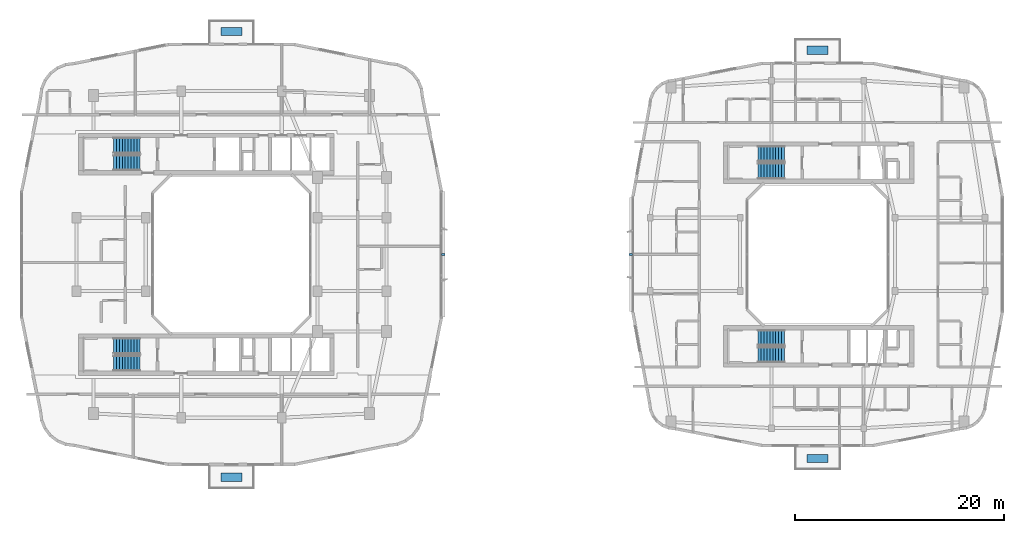
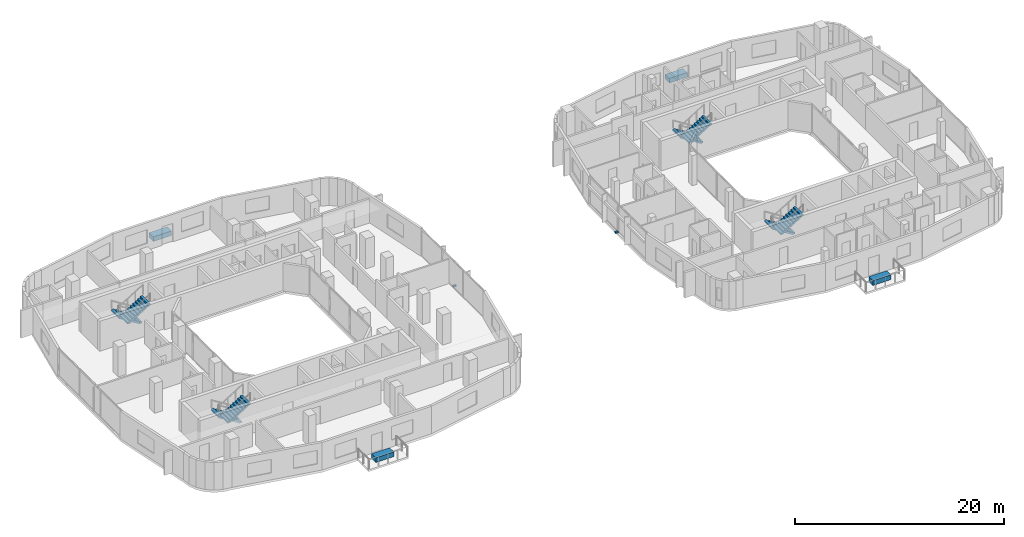
# One storey, part 17 of 22: 8 stair flights, 6 discrete accessories, 4 elements without a shape of their own.
"""IFC4 building model written with IfcOpenShell, lengths in metres."""

from ifc_helpers import new_model, si_unit, derived_unit, direction, frame, origin, origin_2d, place, context, subcontext, project, spatial, polyline, rectangle, outline, extrude, material, type_object, element, aggregate, save


model = new_model("IFC4")

# Units and contexts
model_context = context("Model", 3, precision=1e-05, world=origin(), true_north=direction((0.0, 1.0)))
body_context = subcontext(model_context, "Body", "Model", "MODEL_VIEW")
ifc_project = project(units=[si_unit("LENGTHUNIT", "METRE"), si_unit("AREAUNIT", "SQUARE_METRE"), si_unit("VOLUMEUNIT", "CUBIC_METRE"), si_unit("PLANEANGLEUNIT", "RADIAN"), si_unit("MASSUNIT", "GRAM", prefix="KILO"), derived_unit("THERMALTRANSMITTANCEUNIT", [(si_unit("POWERUNIT", "WATT"), 1), (si_unit("LENGTHUNIT", "METRE"), -2), (si_unit("THERMODYNAMICTEMPERATUREUNIT", "KELVIN"), -1)])], contexts=[model_context])

# Site, building, storey
site_placement = place(None, origin())
site = spatial("IfcSite", under=ifc_project, at=site_placement, CompositionType="ELEMENT")
building_placement = place(site_placement, origin())
building = spatial("IfcBuilding", under=site, at=building_placement, Name="Kivonza Crest Hotel", CompositionType="ELEMENT")
storey_placement = place(building_placement, frame((0.0, 0.0, 112.5)))
storey = spatial("IfcBuildingStorey", under=building, at=storey_placement, Name="L30", CompositionType="ELEMENT", Elevation=112.5)

# Stair, stair flights
ifc_material_1 = material(Name="Concrete C40/50", Category="concrete")
stair_type = type_object("IfcStairType", Name="ST-DL-20R", PredefinedType="HALF_TURN_STAIR", material=ifc_material_1)
stair_1_placement = place(storey_placement, origin())
stair_1 = element("IfcStair", 1, at=stair_1_placement, inside=storey, type_object=stair_type, Name="L30 Protected Exit Stair ST-T1-N", PredefinedType="HALF_TURN_STAIR")
stair_flight_type = type_object("IfcStairFlightType", Name="SFL-RC-10R", PredefinedType="STRAIGHT", material=ifc_material_1)
stair_flight_1_placement = place(storey_placement, frame((12.239990234375, 35.409912109375, 0.0), z_axis=(0.0, 0.0, 1.0), x_axis=(-1.0, 0.0, 0.0)))
stair_flight_1 = element("IfcStairFlight", 2, at=stair_flight_1_placement, type_object=stair_flight_type, Name="ST-T1-N flight 1", NumberOfRisers=10, NumberOfTreads=9, PredefinedType="STRAIGHT", RiserHeight=0.175, TreadLength=0.28, context=body_context, shape_type="SweptSolid", body=[
    extrude(outline(polyline([(0.0, 0.0), (0.0, 0.175048828125), (0.280029296875, 0.175048828125), (0.280029296875, 0.35009765625), (0.56005859375, 0.35009765625), (0.56005859375, 0.52490234375), (0.840087890625, 0.52490234375), (0.840087890625, 0.699951171875), (1.1201171875, 0.699951171875), (1.1201171875, 0.875), (1.39990234375, 0.875), (1.39990234375, 1.050048828125), (1.679931640625, 1.050048828125), (1.679931640625, 1.22509765625), (1.9599609375, 1.22509765625), (1.9599609375, 1.39990234375), (2.239990234375, 1.39990234375), (2.239990234375, 1.574951171875), (2.52001953125, 1.574951171875), (2.52001953125, 1.75), (2.52001953125, 1.398193359375), (0.28271484375, 0.0), (0.0, 0.0)])), frame((0.0, 0.75, 0.0), z_axis=(0.0, -1.0, 0.0), x_axis=(1.0, 0.0, 0.0)), (0.0, 0.0, 1.0), 1.5),
])
stair_flight_2_placement = place(storey_placement, frame((9.719970703125, 33.77001953125, 1.75), z_axis=(0.0, 0.0, 1.0), x_axis=(1.0, 0.0, 0.0)))
stair_flight_2 = element("IfcStairFlight", 3, at=stair_flight_2_placement, type_object=stair_flight_type, Name="ST-T1-N flight 2", NumberOfRisers=10, NumberOfTreads=9, PredefinedType="STRAIGHT", RiserHeight=0.175, TreadLength=0.28, context=body_context, shape_type="SweptSolid", body=[
    extrude(outline(polyline([(0.0, 0.0), (0.0, 0.175048828125), (0.280029296875, 0.175048828125), (0.280029296875, 0.35009765625), (0.56005859375, 0.35009765625), (0.56005859375, 0.52490234375), (0.840087890625, 0.52490234375), (0.840087890625, 0.699951171875), (1.1201171875, 0.699951171875), (1.1201171875, 0.875), (1.39990234375, 0.875), (1.39990234375, 1.050048828125), (1.679931640625, 1.050048828125), (1.679931640625, 1.22509765625), (1.9599609375, 1.22509765625), (1.9599609375, 1.39990234375), (2.239990234375, 1.39990234375), (2.239990234375, 1.574951171875), (2.52001953125, 1.574951171875), (2.52001953125, 1.75), (2.52001953125, 1.398193359375), (0.28271484375, 0.0), (0.0, 0.0)])), frame((0.0, 0.75, 0.0), z_axis=(0.0, -1.0, 0.0), x_axis=(1.0, 0.0, 0.0)), (0.0, 0.0, 1.0), 1.5),
])
aggregate(stair_1, [stair_flight_1, stair_flight_2])

stair_2_placement = place(storey_placement, origin())
stair_2 = element("IfcStair", 4, at=stair_2_placement, inside=storey, type_object=stair_type, Name="L30 Protected Exit Stair ST-T1-S", PredefinedType="HALF_TURN_STAIR")
stair_flight_3_placement = place(storey_placement, frame((12.239990234375, 16.25, 0.0), z_axis=(0.0, 0.0, 1.0), x_axis=(-1.0, 0.0, 0.0)))
stair_flight_3 = element("IfcStairFlight", 5, at=stair_flight_3_placement, type_object=stair_flight_type, Name="ST-T1-S flight 1", NumberOfRisers=10, NumberOfTreads=9, PredefinedType="STRAIGHT", RiserHeight=0.175, TreadLength=0.28, context=body_context, shape_type="SweptSolid", body=[
    extrude(outline(polyline([(0.0, 0.0), (0.0, 0.175048828125), (0.280029296875, 0.175048828125), (0.280029296875, 0.35009765625), (0.56005859375, 0.35009765625), (0.56005859375, 0.52490234375), (0.840087890625, 0.52490234375), (0.840087890625, 0.699951171875), (1.1201171875, 0.699951171875), (1.1201171875, 0.875), (1.39990234375, 0.875), (1.39990234375, 1.050048828125), (1.679931640625, 1.050048828125), (1.679931640625, 1.22509765625), (1.9599609375, 1.22509765625), (1.9599609375, 1.39990234375), (2.239990234375, 1.39990234375), (2.239990234375, 1.574951171875), (2.52001953125, 1.574951171875), (2.52001953125, 1.75), (2.52001953125, 1.398193359375), (0.28271484375, 0.0), (0.0, 0.0)])), frame((0.0, 0.75, 0.0), z_axis=(0.0, -1.0, 0.0), x_axis=(1.0, 0.0, 0.0)), (0.0, 0.0, 1.0), 1.5),
])
stair_flight_4_placement = place(storey_placement, frame((9.719970703125, 14.610107421875, 1.75), z_axis=(0.0, 0.0, 1.0), x_axis=(1.0, 0.0, 0.0)))
stair_flight_4 = element("IfcStairFlight", 6, at=stair_flight_4_placement, type_object=stair_flight_type, Name="ST-T1-S flight 2", NumberOfRisers=10, NumberOfTreads=9, PredefinedType="STRAIGHT", RiserHeight=0.175, TreadLength=0.28, context=body_context, shape_type="SweptSolid", body=[
    extrude(outline(polyline([(0.0, 0.0), (0.0, 0.175048828125), (0.280029296875, 0.175048828125), (0.280029296875, 0.35009765625), (0.56005859375, 0.35009765625), (0.56005859375, 0.52490234375), (0.840087890625, 0.52490234375), (0.840087890625, 0.699951171875), (1.1201171875, 0.699951171875), (1.1201171875, 0.875), (1.39990234375, 0.875), (1.39990234375, 1.050048828125), (1.679931640625, 1.050048828125), (1.679931640625, 1.22509765625), (1.9599609375, 1.22509765625), (1.9599609375, 1.39990234375), (2.239990234375, 1.39990234375), (2.239990234375, 1.574951171875), (2.52001953125, 1.574951171875), (2.52001953125, 1.75), (2.52001953125, 1.398193359375), (0.28271484375, 0.0), (0.0, 0.0)])), frame((0.0, 0.75, 0.0), z_axis=(0.0, -1.0, 0.0), x_axis=(1.0, 0.0, 0.0)), (0.0, 0.0, 1.0), 1.5),
])
aggregate(stair_2, [stair_flight_3, stair_flight_4])

stair_3_placement = place(storey_placement, origin())
stair_3 = element("IfcStair", 7, at=stair_3_placement, inside=storey, type_object=stair_type, Name="L30 Protected Exit Stair ST-T2-N", PredefinedType="HALF_TURN_STAIR")
stair_flight_5_placement = place(storey_placement, frame((73.840087890625, 34.610107421875, 0.0), z_axis=(0.0, 0.0, 1.0), x_axis=(-1.0, 0.0, 0.0)))
stair_flight_5 = element("IfcStairFlight", 8, at=stair_flight_5_placement, type_object=stair_flight_type, Name="ST-T2-N flight 1", NumberOfRisers=10, NumberOfTreads=9, PredefinedType="STRAIGHT", RiserHeight=0.175, TreadLength=0.28, context=body_context, shape_type="SweptSolid", body=[
    extrude(outline(polyline([(0.0, 0.0), (0.0, 0.175048828125), (0.280029296875, 0.175048828125), (0.280029296875, 0.35009765625), (0.56005859375, 0.35009765625), (0.56005859375, 0.52490234375), (0.840087890625, 0.52490234375), (0.840087890625, 0.699951171875), (1.1201171875, 0.699951171875), (1.1201171875, 0.875), (1.39990234375, 0.875), (1.39990234375, 1.050048828125), (1.679931640625, 1.050048828125), (1.679931640625, 1.22509765625), (1.9599609375, 1.22509765625), (1.9599609375, 1.39990234375), (2.239990234375, 1.39990234375), (2.239990234375, 1.574951171875), (2.52001953125, 1.574951171875), (2.52001953125, 1.75), (2.52001953125, 1.398193359375), (0.28271484375, 0.0), (0.0, 0.0)])), frame((0.0, 0.75, 0.0), z_axis=(0.0, -1.0, 0.0), x_axis=(1.0, 0.0, 0.0)), (0.0, 0.0, 1.0), 1.5),
])
stair_flight_6_placement = place(storey_placement, frame((71.320068359375, 32.969970703125, 1.75), z_axis=(0.0, 0.0, 1.0), x_axis=(1.0, 0.0, 0.0)))
stair_flight_6 = element("IfcStairFlight", 9, at=stair_flight_6_placement, type_object=stair_flight_type, Name="ST-T2-N flight 2", NumberOfRisers=10, NumberOfTreads=9, PredefinedType="STRAIGHT", RiserHeight=0.175, TreadLength=0.28, context=body_context, shape_type="SweptSolid", body=[
    extrude(outline(polyline([(0.0, 0.0), (0.0, 0.175048828125), (0.280029296875, 0.175048828125), (0.280029296875, 0.35009765625), (0.56005859375, 0.35009765625), (0.56005859375, 0.52490234375), (0.840087890625, 0.52490234375), (0.840087890625, 0.699951171875), (1.1201171875, 0.699951171875), (1.1201171875, 0.875), (1.39990234375, 0.875), (1.39990234375, 1.050048828125), (1.679931640625, 1.050048828125), (1.679931640625, 1.22509765625), (1.9599609375, 1.22509765625), (1.9599609375, 1.39990234375), (2.239990234375, 1.39990234375), (2.239990234375, 1.574951171875), (2.52001953125, 1.574951171875), (2.52001953125, 1.75), (2.52001953125, 1.398193359375), (0.28271484375, 0.0), (0.0, 0.0)])), frame((0.0, 0.75, 0.0), z_axis=(0.0, -1.0, 0.0), x_axis=(1.0, 0.0, 0.0)), (0.0, 0.0, 1.0), 1.5),
])
aggregate(stair_3, [stair_flight_5, stair_flight_6])

stair_4_placement = place(storey_placement, origin())
stair_4 = element("IfcStair", 10, at=stair_4_placement, inside=storey, type_object=stair_type, Name="L30 Protected Exit Stair ST-T2-S", PredefinedType="HALF_TURN_STAIR")
stair_flight_7_placement = place(storey_placement, frame((73.840087890625, 17.050048828125, 0.0), z_axis=(0.0, 0.0, 1.0), x_axis=(-1.0, 0.0, 0.0)))
stair_flight_7 = element("IfcStairFlight", 11, at=stair_flight_7_placement, type_object=stair_flight_type, Name="ST-T2-S flight 1", NumberOfRisers=10, NumberOfTreads=9, PredefinedType="STRAIGHT", RiserHeight=0.175, TreadLength=0.28, context=body_context, shape_type="SweptSolid", body=[
    extrude(outline(polyline([(0.0, 0.0), (0.0, 0.175048828125), (0.280029296875, 0.175048828125), (0.280029296875, 0.35009765625), (0.56005859375, 0.35009765625), (0.56005859375, 0.52490234375), (0.840087890625, 0.52490234375), (0.840087890625, 0.699951171875), (1.1201171875, 0.699951171875), (1.1201171875, 0.875), (1.39990234375, 0.875), (1.39990234375, 1.050048828125), (1.679931640625, 1.050048828125), (1.679931640625, 1.22509765625), (1.9599609375, 1.22509765625), (1.9599609375, 1.39990234375), (2.239990234375, 1.39990234375), (2.239990234375, 1.574951171875), (2.52001953125, 1.574951171875), (2.52001953125, 1.75), (2.52001953125, 1.398193359375), (0.28271484375, 0.0), (0.0, 0.0)])), frame((0.0, 0.75, 0.0), z_axis=(0.0, -1.0, 0.0), x_axis=(1.0, 0.0, 0.0)), (0.0, 0.0, 1.0), 1.5),
])
stair_flight_8_placement = place(storey_placement, frame((71.320068359375, 15.409912109375, 1.75), z_axis=(0.0, 0.0, 1.0), x_axis=(1.0, 0.0, 0.0)))
stair_flight_8 = element("IfcStairFlight", 12, at=stair_flight_8_placement, type_object=stair_flight_type, Name="ST-T2-S flight 2", NumberOfRisers=10, NumberOfTreads=9, PredefinedType="STRAIGHT", RiserHeight=0.175, TreadLength=0.28, context=body_context, shape_type="SweptSolid", body=[
    extrude(outline(polyline([(0.0, 0.0), (0.0, 0.175048828125), (0.280029296875, 0.175048828125), (0.280029296875, 0.35009765625), (0.56005859375, 0.35009765625), (0.56005859375, 0.52490234375), (0.840087890625, 0.52490234375), (0.840087890625, 0.699951171875), (1.1201171875, 0.699951171875), (1.1201171875, 0.875), (1.39990234375, 0.875), (1.39990234375, 1.050048828125), (1.679931640625, 1.050048828125), (1.679931640625, 1.22509765625), (1.9599609375, 1.22509765625), (1.9599609375, 1.39990234375), (2.239990234375, 1.39990234375), (2.239990234375, 1.574951171875), (2.52001953125, 1.574951171875), (2.52001953125, 1.75), (2.52001953125, 1.398193359375), (0.28271484375, 0.0), (0.0, 0.0)])), frame((0.0, 0.75, 0.0), z_axis=(0.0, -1.0, 0.0), x_axis=(1.0, 0.0, 0.0)), (0.0, 0.0, 1.0), 1.5),
])
aggregate(stair_4, [stair_flight_7, stair_flight_8])

# Discrete accessories
ifc_material_2 = material(Name="Stainless steel 316", Category="steel")
discrete_accessory_type_1 = type_object("IfcDiscreteAccessoryType", Name="AC-BRACKET-240", PredefinedType="BRACKET", material=ifc_material_2)
for number, where, z_axis, x_axis, name in (
    (13, (41.239990234375, 25.0, -0.009765625), (0.0, 0.0, 1.0), (0.0, 1.0, 0.0), "L30 terracotta baguette support bracket CW-T1-L30-17"),
    (14, (59.159912109375, 25.0, -0.009765625), (0.0, 0.0, 1.0), (0.0, -1.0, 0.0), "L30 terracotta baguette support bracket CW-T2-L30-35"),
):
    element("IfcDiscreteAccessory", number, at=place(storey_placement, frame(where, z_axis=z_axis, x_axis=x_axis)), inside=storey, type_object=discrete_accessory_type_1, Name=name, PredefinedType="BRACKET", context=body_context, shape_type="SweptSolid", body=[
        extrude(rectangle(XDim=0.219970703125, YDim=0.340087890625, at=origin_2d()), origin(), (0.0, 0.0, 1.0), 0.179931640625),
    ])
ifc_material_3 = material(Name="Precast GRC planter with engineered planting soil", Category="concrete")
discrete_accessory_type_2 = type_object("IfcDiscreteAccessoryType", Name="AC-PLANTER-1800", PredefinedType="USERDEFINED", material=ifc_material_3)
for number, where, z_axis, x_axis, name in (
    (15, (21.0, 3.699951171875, 0.0), (0.0, 0.0, 1.0), (1.0, 0.0, 0.0), "T1 L30 SW sky-garden planter"),
    (16, (21.0, 46.300048828125, 0.0), (0.0, 0.0, 1.0), (1.0, 0.0, 0.0), "T1 L30 NE sky-garden planter"),
    (17, (77.0, 5.5, 0.0), (0.0, 0.0, 1.0), (1.0, 0.0, 0.0), "T2 L30 SW sky-garden planter"),
    (18, (77.0, 44.5, 0.0), (0.0, 0.0, 1.0), (1.0, 0.0, 0.0), "T2 L30 NE sky-garden planter"),
):
    element("IfcDiscreteAccessory", number, at=place(storey_placement, frame(where, z_axis=z_axis, x_axis=x_axis)), inside=storey, type_object=discrete_accessory_type_2, Name=name, ObjectType="PLANTER", PredefinedType="USERDEFINED", context=body_context, shape_type="SweptSolid", body=[
        extrude(rectangle(XDim=2.0, YDim=0.800048828125, at=origin_2d()), origin(), (0.0, 0.0, 1.0), 0.550048828125),
    ])

save(model, "model.ifc")
